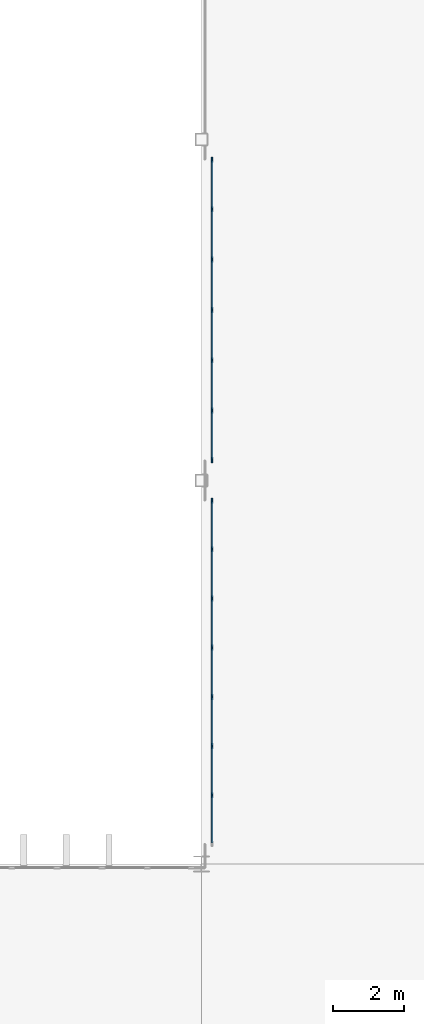
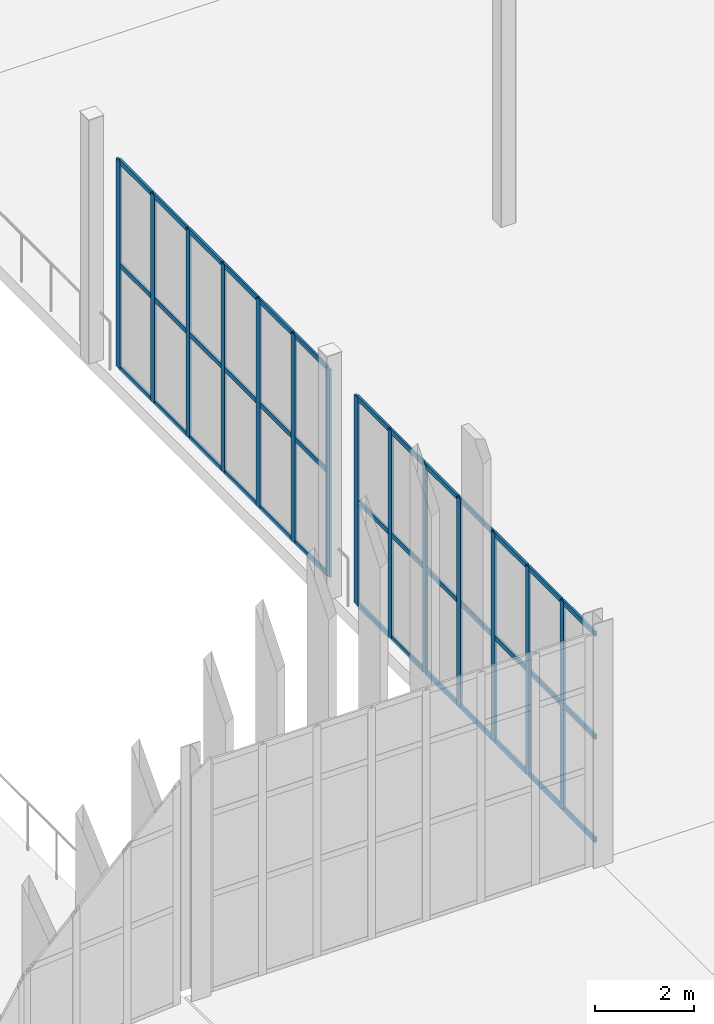
# One storey, part 48 of 139: 53 members, 2 elements without a shape of their own.
"""IFC4 building model written with IfcOpenShell, lengths in metres."""

from ifc_helpers import new_model, si_unit, direction, frame, origin, origin_2d, place, context, subcontext, project, spatial, rectangle, extrude, material, layer, layer_set, material_profile, profile_set, type_object, element, aggregate, save


model = new_model("IFC4")

# Units and contexts
model_context = context("Model", 3, precision=1e-05, world=origin(), true_north=direction((0.0, 1.0)))
body_context = subcontext(model_context, "Body", "Model", "MODEL_VIEW")
ifc_project = project(units=[si_unit("LENGTHUNIT", "METRE"), si_unit("AREAUNIT", "SQUARE_METRE"), si_unit("VOLUMEUNIT", "CUBIC_METRE"), si_unit("PLANEANGLEUNIT", "RADIAN"), si_unit("MASSUNIT", "GRAM", prefix="KILO")], contexts=[model_context])

# Site, building, storey
site_placement = place(None, origin())
site = spatial("IfcSite", under=ifc_project, at=site_placement, CompositionType="ELEMENT")
building_placement = place(site_placement, origin())
building = spatial("IfcBuilding", under=site, at=building_placement, Name="Yeouljin Market Hall", CompositionType="ELEMENT")
storey_placement = place(building_placement, origin())
storey = spatial("IfcBuildingStorey", under=building, at=storey_placement, Name="L00", CompositionType="ELEMENT", Elevation=0.0)

# Curtain wall, members
ifc_material_1 = material(Name="Thermally Broken Aluminium", Category="aluminium")
ifc_layer = layer(ifc_material_1, 0.14990234375)
ifc_layer_set = layer_set([ifc_layer], Name="Thermally Broken Aluminium")
curtain_wall_type = type_object("IfcCurtainWallType", Name="CW_WingStorefront_System", PredefinedType="USERDEFINED", material=ifc_layer_set)
curtain_wall_1_placement = place(storey_placement, origin())
curtain_wall_1 = element("IfcCurtainWall", 1, at=curtain_wall_1_placement, inside=storey, type_object=curtain_wall_type, Name="Curtain wall CW-CRT-L00-15", ObjectType="CURTAIN WALL", PredefinedType="USERDEFINED")
ifc_material_2 = material(Name="Thermally Broken Aluminium", Category="aluminium")
ifc_material_profile_1 = material_profile(ifc_material_2, rectangle(XDim=0.048095703125, YDim=0.14990234375, at=origin_2d()), Name="CW-MULL-48x150")
ifc_profile_set_1 = profile_set([ifc_material_profile_1], Name="Thermally Broken Aluminium")
member_type_1 = type_object("IfcMemberType", Name="CWMullion_48x150", PredefinedType="MULLION", material=ifc_profile_set_1)
member_1_placement = place(storey_placement, frame((45.300048828125, 79.935791015625, 0.0), z_axis=(0.0, 0.0, 1.0), x_axis=(-1.0, 0.0, 0.0)))
member_1 = element("IfcMember", 2, at=member_1_placement, type_object=member_type_1, Name="CW-04 mullion 2", PredefinedType="MULLION", context=body_context, shape_type="SweptSolid", body=[
    extrude(rectangle(XDim=0.048095703125, YDim=0.14990234375, at=origin_2d()), origin(), (0.0, 0.0, 1.0), 5.1201171875),
])
member_2_placement = place(storey_placement, frame((45.300048828125, 81.321533203125, 0.0), z_axis=(0.0, 0.0, 1.0), x_axis=(-1.0, 0.0, 0.0)))
member_2 = element("IfcMember", 3, at=member_2_placement, type_object=member_type_1, Name="CW-04 mullion 3", PredefinedType="MULLION", context=body_context, shape_type="SweptSolid", body=[
    extrude(rectangle(XDim=0.048095703125, YDim=0.14990234375, at=origin_2d()), origin(), (0.0, 0.0, 1.0), 5.1201171875),
])
member_3_placement = place(storey_placement, frame((45.300048828125, 82.70703125, 0.0), z_axis=(0.0, 0.0, 1.0), x_axis=(-1.0, 0.0, 0.0)))
member_3 = element("IfcMember", 4, at=member_3_placement, type_object=member_type_1, Name="CW-04 mullion 4", PredefinedType="MULLION", context=body_context, shape_type="SweptSolid", body=[
    extrude(rectangle(XDim=0.048095703125, YDim=0.14990234375, at=origin_2d()), origin(), (0.0, 0.0, 1.0), 5.1201171875),
])
member_4_placement = place(storey_placement, frame((45.300048828125, 84.0927734375, 0.0), z_axis=(0.0, 0.0, 1.0), x_axis=(-1.0, 0.0, 0.0)))
member_4 = element("IfcMember", 5, at=member_4_placement, type_object=member_type_1, Name="CW-04 mullion 5", PredefinedType="MULLION", context=body_context, shape_type="SweptSolid", body=[
    extrude(rectangle(XDim=0.048095703125, YDim=0.14990234375, at=origin_2d()), origin(), (0.0, 0.0, 1.0), 5.1201171875),
])
member_5_placement = place(storey_placement, frame((45.300048828125, 85.478515625, 0.0), z_axis=(0.0, 0.0, 1.0), x_axis=(-1.0, 0.0, 0.0)))
member_5 = element("IfcMember", 6, at=member_5_placement, type_object=member_type_1, Name="CW-04 mullion 6", PredefinedType="MULLION", context=body_context, shape_type="SweptSolid", body=[
    extrude(rectangle(XDim=0.048095703125, YDim=0.14990234375, at=origin_2d()), origin(), (0.0, 0.0, 1.0), 5.1201171875),
])
member_6_placement = place(storey_placement, frame((45.300048828125, 86.8642578125, 0.0), z_axis=(0.0, 0.0, 1.0), x_axis=(-1.0, 0.0, 0.0)))
member_6 = element("IfcMember", 7, at=member_6_placement, type_object=member_type_1, Name="CW-04 mullion 7", PredefinedType="MULLION", context=body_context, shape_type="SweptSolid", body=[
    extrude(rectangle(XDim=0.048095703125, YDim=0.14990234375, at=origin_2d()), origin(), (0.0, 0.0, 1.0), 5.1201171875),
])
member_7_placement = place(storey_placement, frame((45.300048828125, 88.22607421875, 0.0), z_axis=(0.0, 0.0, 1.0), x_axis=(-1.0, 0.0, 0.0)))
member_7 = element("IfcMember", 8, at=member_7_placement, type_object=member_type_1, Name="CW-04 mullion 8", PredefinedType="MULLION", context=body_context, shape_type="SweptSolid", body=[
    extrude(rectangle(XDim=0.048095703125, YDim=0.14990234375, at=origin_2d()), origin(), (0.0, 0.0, 1.0), 5.1201171875),
])

curtain_wall_2_placement = place(storey_placement, origin())
curtain_wall_2 = element("IfcCurtainWall", 9, at=curtain_wall_2_placement, inside=storey, type_object=curtain_wall_type, Name="Curtain wall CW-CRT-L00-16", ObjectType="CURTAIN WALL", PredefinedType="USERDEFINED")
member_8_placement = place(storey_placement, frame((45.300048828125, 89.3740234375, 0.0), z_axis=(0.0, 0.0, 1.0), x_axis=(-1.0, 0.0, 0.0)))
member_8 = element("IfcMember", 10, at=member_8_placement, type_object=member_type_1, Name="CW-04 mullion 1", PredefinedType="MULLION", context=body_context, shape_type="SweptSolid", body=[
    extrude(rectangle(XDim=0.048095703125, YDim=0.14990234375, at=origin_2d()), origin(), (0.0, 0.0, 1.0), 5.1201171875),
])
member_9_placement = place(storey_placement, frame((45.300048828125, 90.7666015625, 0.0), z_axis=(0.0, 0.0, 1.0), x_axis=(-1.0, 0.0, 0.0)))
member_9 = element("IfcMember", 11, at=member_9_placement, type_object=member_type_1, Name="CW-04 mullion 2", PredefinedType="MULLION", context=body_context, shape_type="SweptSolid", body=[
    extrude(rectangle(XDim=0.048095703125, YDim=0.14990234375, at=origin_2d()), origin(), (0.0, 0.0, 1.0), 5.1201171875),
])
member_10_placement = place(storey_placement, frame((45.300048828125, 92.183349609375, 0.0), z_axis=(0.0, 0.0, 1.0), x_axis=(-1.0, 0.0, 0.0)))
member_10 = element("IfcMember", 12, at=member_10_placement, type_object=member_type_1, Name="CW-04 mullion 3", PredefinedType="MULLION", context=body_context, shape_type="SweptSolid", body=[
    extrude(rectangle(XDim=0.048095703125, YDim=0.14990234375, at=origin_2d()), origin(), (0.0, 0.0, 1.0), 5.1201171875),
])
member_11_placement = place(storey_placement, frame((45.300048828125, 93.60009765625, 0.0), z_axis=(0.0, 0.0, 1.0), x_axis=(-1.0, 0.0, 0.0)))
member_11 = element("IfcMember", 13, at=member_11_placement, type_object=member_type_1, Name="CW-04 mullion 4", PredefinedType="MULLION", context=body_context, shape_type="SweptSolid", body=[
    extrude(rectangle(XDim=0.048095703125, YDim=0.14990234375, at=origin_2d()), origin(), (0.0, 0.0, 1.0), 5.1201171875),
])
member_12_placement = place(storey_placement, frame((45.300048828125, 95.0166015625, 0.0), z_axis=(0.0, 0.0, 1.0), x_axis=(-1.0, 0.0, 0.0)))
member_12 = element("IfcMember", 14, at=member_12_placement, type_object=member_type_1, Name="CW-04 mullion 5", PredefinedType="MULLION", context=body_context, shape_type="SweptSolid", body=[
    extrude(rectangle(XDim=0.048095703125, YDim=0.14990234375, at=origin_2d()), origin(), (0.0, 0.0, 1.0), 5.1201171875),
])
member_13_placement = place(storey_placement, frame((45.300048828125, 96.433349609375, 0.0), z_axis=(0.0, 0.0, 1.0), x_axis=(-1.0, 0.0, 0.0)))
member_13 = element("IfcMember", 15, at=member_13_placement, type_object=member_type_1, Name="CW-04 mullion 6", PredefinedType="MULLION", context=body_context, shape_type="SweptSolid", body=[
    extrude(rectangle(XDim=0.048095703125, YDim=0.14990234375, at=origin_2d()), origin(), (0.0, 0.0, 1.0), 5.1201171875),
])
member_14_placement = place(storey_placement, frame((45.300048828125, 97.825927734375, 0.0), z_axis=(0.0, 0.0, 1.0), x_axis=(-1.0, 0.0, 0.0)))
member_14 = element("IfcMember", 16, at=member_14_placement, type_object=member_type_1, Name="CW-04 mullion 7", PredefinedType="MULLION", context=body_context, shape_type="SweptSolid", body=[
    extrude(rectangle(XDim=0.048095703125, YDim=0.14990234375, at=origin_2d()), origin(), (0.0, 0.0, 1.0), 5.1201171875),
])

# Member
ifc_material_3 = material(Name="Thermally Broken Aluminium", Category="aluminium")
ifc_material_profile_2 = material_profile(ifc_material_3, rectangle(XDim=0.048095703125, YDim=0.1201171875, at=origin_2d()), Name="CW-TRAN-48x120")
ifc_profile_set_2 = profile_set([ifc_material_profile_2], Name="Thermally Broken Aluminium")
member_type_2 = type_object("IfcMemberType", Name="CWTransom_48x120", PredefinedType="USERDEFINED", material=ifc_profile_set_2)
member_15_placement = place(storey_placement, frame((45.300048828125, 78.597900390625, 0.02392578125), z_axis=(0.0, 1.0, 0.0), x_axis=(-1.0, 0.0, 0.0)))
member_15 = element("IfcMember", 17, at=member_15_placement, type_object=member_type_2, Name="CW-04 transom 1.1", ObjectType="TRANSOM", PredefinedType="USERDEFINED", context=body_context, shape_type="SweptSolid", body=[
    extrude(rectangle(XDim=0.048095703125, YDim=0.1201171875, at=origin_2d()), origin(), (0.0, 0.0, 1.0), 1.313720703125),
])

member_16_placement = place(storey_placement, frame((45.300048828125, 78.597900390625, 2.56005859375), z_axis=(0.0, 1.0, 0.0), x_axis=(-1.0, 0.0, 0.0)))
member_16 = element("IfcMember", 18, at=member_16_placement, type_object=member_type_2, Name="CW-04 transom 1.2", ObjectType="TRANSOM", PredefinedType="USERDEFINED", context=body_context, shape_type="SweptSolid", body=[
    extrude(rectangle(XDim=0.048095703125, YDim=0.1201171875, at=origin_2d()), origin(), (0.0, 0.0, 1.0), 1.313720703125),
])

member_17_placement = place(storey_placement, frame((45.300048828125, 78.597900390625, 5.095947265625), z_axis=(0.0, 1.0, 0.0), x_axis=(-1.0, 0.0, 0.0)))
member_17 = element("IfcMember", 19, at=member_17_placement, type_object=member_type_2, Name="CW-04 transom 1.3", ObjectType="TRANSOM", PredefinedType="USERDEFINED", context=body_context, shape_type="SweptSolid", body=[
    extrude(rectangle(XDim=0.048095703125, YDim=0.1201171875, at=origin_2d()), origin(), (0.0, 0.0, 1.0), 1.313720703125),
])

member_18_placement = place(storey_placement, frame((45.300048828125, 79.959716796875, 0.02392578125), z_axis=(0.0, 1.0, 0.0), x_axis=(-1.0, 0.0, 0.0)))
member_18 = element("IfcMember", 20, at=member_18_placement, type_object=member_type_2, Name="CW-04 transom 2.1", ObjectType="TRANSOM", PredefinedType="USERDEFINED", context=body_context, shape_type="SweptSolid", body=[
    extrude(rectangle(XDim=0.048095703125, YDim=0.1201171875, at=origin_2d()), origin(), (0.0, 0.0, 1.0), 1.337646484375),
])

member_19_placement = place(storey_placement, frame((45.300048828125, 79.959716796875, 2.56005859375), z_axis=(0.0, 1.0, 0.0), x_axis=(-1.0, 0.0, 0.0)))
member_19 = element("IfcMember", 21, at=member_19_placement, type_object=member_type_2, Name="CW-04 transom 2.2", ObjectType="TRANSOM", PredefinedType="USERDEFINED", context=body_context, shape_type="SweptSolid", body=[
    extrude(rectangle(XDim=0.048095703125, YDim=0.1201171875, at=origin_2d()), origin(), (0.0, 0.0, 1.0), 1.337646484375),
])

member_20_placement = place(storey_placement, frame((45.300048828125, 79.959716796875, 5.095947265625), z_axis=(0.0, 1.0, 0.0), x_axis=(-1.0, 0.0, 0.0)))
member_20 = element("IfcMember", 22, at=member_20_placement, type_object=member_type_2, Name="CW-04 transom 2.3", ObjectType="TRANSOM", PredefinedType="USERDEFINED", context=body_context, shape_type="SweptSolid", body=[
    extrude(rectangle(XDim=0.048095703125, YDim=0.1201171875, at=origin_2d()), origin(), (0.0, 0.0, 1.0), 1.337646484375),
])

member_21_placement = place(storey_placement, frame((45.300048828125, 81.345458984375, 0.02392578125), z_axis=(0.0, 1.0, 0.0), x_axis=(-1.0, 0.0, 0.0)))
member_21 = element("IfcMember", 23, at=member_21_placement, type_object=member_type_2, Name="CW-04 transom 3.1", ObjectType="TRANSOM", PredefinedType="USERDEFINED", context=body_context, shape_type="SweptSolid", body=[
    extrude(rectangle(XDim=0.048095703125, YDim=0.1201171875, at=origin_2d()), origin(), (0.0, 0.0, 1.0), 1.337646484375),
])

member_22_placement = place(storey_placement, frame((45.300048828125, 81.345458984375, 2.56005859375), z_axis=(0.0, 1.0, 0.0), x_axis=(-1.0, 0.0, 0.0)))
member_22 = element("IfcMember", 24, at=member_22_placement, type_object=member_type_2, Name="CW-04 transom 3.2", ObjectType="TRANSOM", PredefinedType="USERDEFINED", context=body_context, shape_type="SweptSolid", body=[
    extrude(rectangle(XDim=0.048095703125, YDim=0.1201171875, at=origin_2d()), origin(), (0.0, 0.0, 1.0), 1.337646484375),
])

member_23_placement = place(storey_placement, frame((45.300048828125, 81.345458984375, 5.095947265625), z_axis=(0.0, 1.0, 0.0), x_axis=(-1.0, 0.0, 0.0)))
member_23 = element("IfcMember", 25, at=member_23_placement, type_object=member_type_2, Name="CW-04 transom 3.3", ObjectType="TRANSOM", PredefinedType="USERDEFINED", context=body_context, shape_type="SweptSolid", body=[
    extrude(rectangle(XDim=0.048095703125, YDim=0.1201171875, at=origin_2d()), origin(), (0.0, 0.0, 1.0), 1.337646484375),
])

member_24_placement = place(storey_placement, frame((45.300048828125, 82.731201171875, 0.02392578125), z_axis=(0.0, 1.0, 0.0), x_axis=(-1.0, 0.0, 0.0)))
member_24 = element("IfcMember", 26, at=member_24_placement, type_object=member_type_2, Name="CW-04 transom 4.1", ObjectType="TRANSOM", PredefinedType="USERDEFINED", context=body_context, shape_type="SweptSolid", body=[
    extrude(rectangle(XDim=0.048095703125, YDim=0.1201171875, at=origin_2d()), origin(), (0.0, 0.0, 1.0), 1.337646484375),
])

member_25_placement = place(storey_placement, frame((45.300048828125, 82.731201171875, 2.56005859375), z_axis=(0.0, 1.0, 0.0), x_axis=(-1.0, 0.0, 0.0)))
member_25 = element("IfcMember", 27, at=member_25_placement, type_object=member_type_2, Name="CW-04 transom 4.2", ObjectType="TRANSOM", PredefinedType="USERDEFINED", context=body_context, shape_type="SweptSolid", body=[
    extrude(rectangle(XDim=0.048095703125, YDim=0.1201171875, at=origin_2d()), origin(), (0.0, 0.0, 1.0), 1.337646484375),
])

member_26_placement = place(storey_placement, frame((45.300048828125, 82.731201171875, 5.095947265625), z_axis=(0.0, 1.0, 0.0), x_axis=(-1.0, 0.0, 0.0)))
member_26 = element("IfcMember", 28, at=member_26_placement, type_object=member_type_2, Name="CW-04 transom 4.3", ObjectType="TRANSOM", PredefinedType="USERDEFINED", context=body_context, shape_type="SweptSolid", body=[
    extrude(rectangle(XDim=0.048095703125, YDim=0.1201171875, at=origin_2d()), origin(), (0.0, 0.0, 1.0), 1.337646484375),
])

member_27_placement = place(storey_placement, frame((45.300048828125, 84.116943359375, 0.02392578125), z_axis=(0.0, 1.0, 0.0), x_axis=(-1.0, 0.0, 0.0)))
member_27 = element("IfcMember", 29, at=member_27_placement, type_object=member_type_2, Name="CW-04 transom 5.1", ObjectType="TRANSOM", PredefinedType="USERDEFINED", context=body_context, shape_type="SweptSolid", body=[
    extrude(rectangle(XDim=0.048095703125, YDim=0.1201171875, at=origin_2d()), origin(), (0.0, 0.0, 1.0), 1.337646484375),
])

member_28_placement = place(storey_placement, frame((45.300048828125, 84.116943359375, 2.56005859375), z_axis=(0.0, 1.0, 0.0), x_axis=(-1.0, 0.0, 0.0)))
member_28 = element("IfcMember", 30, at=member_28_placement, type_object=member_type_2, Name="CW-04 transom 5.2", ObjectType="TRANSOM", PredefinedType="USERDEFINED", context=body_context, shape_type="SweptSolid", body=[
    extrude(rectangle(XDim=0.048095703125, YDim=0.1201171875, at=origin_2d()), origin(), (0.0, 0.0, 1.0), 1.337646484375),
])

member_29_placement = place(storey_placement, frame((45.300048828125, 84.116943359375, 5.095947265625), z_axis=(0.0, 1.0, 0.0), x_axis=(-1.0, 0.0, 0.0)))
member_29 = element("IfcMember", 31, at=member_29_placement, type_object=member_type_2, Name="CW-04 transom 5.3", ObjectType="TRANSOM", PredefinedType="USERDEFINED", context=body_context, shape_type="SweptSolid", body=[
    extrude(rectangle(XDim=0.048095703125, YDim=0.1201171875, at=origin_2d()), origin(), (0.0, 0.0, 1.0), 1.337646484375),
])

member_30_placement = place(storey_placement, frame((45.300048828125, 85.502685546875, 0.02392578125), z_axis=(0.0, 1.0, 0.0), x_axis=(-1.0, 0.0, 0.0)))
member_30 = element("IfcMember", 32, at=member_30_placement, type_object=member_type_2, Name="CW-04 transom 6.1", ObjectType="TRANSOM", PredefinedType="USERDEFINED", context=body_context, shape_type="SweptSolid", body=[
    extrude(rectangle(XDim=0.048095703125, YDim=0.1201171875, at=origin_2d()), origin(), (0.0, 0.0, 1.0), 1.337646484375),
])

member_31_placement = place(storey_placement, frame((45.300048828125, 85.502685546875, 2.56005859375), z_axis=(0.0, 1.0, 0.0), x_axis=(-1.0, 0.0, 0.0)))
member_31 = element("IfcMember", 33, at=member_31_placement, type_object=member_type_2, Name="CW-04 transom 6.2", ObjectType="TRANSOM", PredefinedType="USERDEFINED", context=body_context, shape_type="SweptSolid", body=[
    extrude(rectangle(XDim=0.048095703125, YDim=0.1201171875, at=origin_2d()), origin(), (0.0, 0.0, 1.0), 1.337646484375),
])

member_32_placement = place(storey_placement, frame((45.300048828125, 85.502685546875, 5.095947265625), z_axis=(0.0, 1.0, 0.0), x_axis=(-1.0, 0.0, 0.0)))
member_32 = element("IfcMember", 34, at=member_32_placement, type_object=member_type_2, Name="CW-04 transom 6.3", ObjectType="TRANSOM", PredefinedType="USERDEFINED", context=body_context, shape_type="SweptSolid", body=[
    extrude(rectangle(XDim=0.048095703125, YDim=0.1201171875, at=origin_2d()), origin(), (0.0, 0.0, 1.0), 1.337646484375),
])

member_33_placement = place(storey_placement, frame((45.300048828125, 86.88818359375, 0.02392578125), z_axis=(0.0, 1.0, 0.0), x_axis=(-1.0, 0.0, 0.0)))
member_33 = element("IfcMember", 35, at=member_33_placement, type_object=member_type_2, Name="CW-04 transom 7.1", ObjectType="TRANSOM", PredefinedType="USERDEFINED", context=body_context, shape_type="SweptSolid", body=[
    extrude(rectangle(XDim=0.048095703125, YDim=0.1201171875, at=origin_2d()), origin(), (0.0, 0.0, 1.0), 1.313720703125),
])

member_34_placement = place(storey_placement, frame((45.300048828125, 86.88818359375, 2.56005859375), z_axis=(0.0, 1.0, 0.0), x_axis=(-1.0, 0.0, 0.0)))
member_34 = element("IfcMember", 36, at=member_34_placement, type_object=member_type_2, Name="CW-04 transom 7.2", ObjectType="TRANSOM", PredefinedType="USERDEFINED", context=body_context, shape_type="SweptSolid", body=[
    extrude(rectangle(XDim=0.048095703125, YDim=0.1201171875, at=origin_2d()), origin(), (0.0, 0.0, 1.0), 1.313720703125),
])

member_35_placement = place(storey_placement, frame((45.300048828125, 86.88818359375, 5.095947265625), z_axis=(0.0, 1.0, 0.0), x_axis=(-1.0, 0.0, 0.0)))
member_35 = element("IfcMember", 37, at=member_35_placement, type_object=member_type_2, Name="CW-04 transom 7.3", ObjectType="TRANSOM", PredefinedType="USERDEFINED", context=body_context, shape_type="SweptSolid", body=[
    extrude(rectangle(XDim=0.048095703125, YDim=0.1201171875, at=origin_2d()), origin(), (0.0, 0.0, 1.0), 1.313720703125),
])

aggregate(curtain_wall_1, [member_1, member_2, member_3, member_4, member_5, member_6, member_7, member_15, member_16, member_17, member_18, member_19, member_20, member_21, member_22, member_23, member_24, member_25, member_26, member_27, member_28, member_29, member_30, member_31, member_32, member_33, member_34, member_35])

member_36_placement = place(storey_placement, frame((45.300048828125, 89.39794921875, 0.02392578125), z_axis=(0.0, 1.0, 0.0), x_axis=(-1.0, 0.0, 0.0)))
member_36 = element("IfcMember", 38, at=member_36_placement, type_object=member_type_2, Name="CW-04 transom 1.1", ObjectType="TRANSOM", PredefinedType="USERDEFINED", context=body_context, shape_type="SweptSolid", body=[
    extrude(rectangle(XDim=0.048095703125, YDim=0.1201171875, at=origin_2d()), origin(), (0.0, 0.0, 1.0), 1.3447265625),
])

member_37_placement = place(storey_placement, frame((45.300048828125, 89.39794921875, 2.56005859375), z_axis=(0.0, 1.0, 0.0), x_axis=(-1.0, 0.0, 0.0)))
member_37 = element("IfcMember", 39, at=member_37_placement, type_object=member_type_2, Name="CW-04 transom 1.2", ObjectType="TRANSOM", PredefinedType="USERDEFINED", context=body_context, shape_type="SweptSolid", body=[
    extrude(rectangle(XDim=0.048095703125, YDim=0.1201171875, at=origin_2d()), origin(), (0.0, 0.0, 1.0), 1.3447265625),
])

member_38_placement = place(storey_placement, frame((45.300048828125, 89.39794921875, 5.095947265625), z_axis=(0.0, 1.0, 0.0), x_axis=(-1.0, 0.0, 0.0)))
member_38 = element("IfcMember", 40, at=member_38_placement, type_object=member_type_2, Name="CW-04 transom 1.3", ObjectType="TRANSOM", PredefinedType="USERDEFINED", context=body_context, shape_type="SweptSolid", body=[
    extrude(rectangle(XDim=0.048095703125, YDim=0.1201171875, at=origin_2d()), origin(), (0.0, 0.0, 1.0), 1.3447265625),
])

member_39_placement = place(storey_placement, frame((45.300048828125, 90.790771484375, 0.02392578125), z_axis=(0.0, 1.0, 0.0), x_axis=(-1.0, 0.0, 0.0)))
member_39 = element("IfcMember", 41, at=member_39_placement, type_object=member_type_2, Name="CW-04 transom 2.1", ObjectType="TRANSOM", PredefinedType="USERDEFINED", context=body_context, shape_type="SweptSolid", body=[
    extrude(rectangle(XDim=0.048095703125, YDim=0.1201171875, at=origin_2d()), origin(), (0.0, 0.0, 1.0), 1.36865234375),
])

member_40_placement = place(storey_placement, frame((45.300048828125, 90.790771484375, 2.56005859375), z_axis=(0.0, 1.0, 0.0), x_axis=(-1.0, 0.0, 0.0)))
member_40 = element("IfcMember", 42, at=member_40_placement, type_object=member_type_2, Name="CW-04 transom 2.2", ObjectType="TRANSOM", PredefinedType="USERDEFINED", context=body_context, shape_type="SweptSolid", body=[
    extrude(rectangle(XDim=0.048095703125, YDim=0.1201171875, at=origin_2d()), origin(), (0.0, 0.0, 1.0), 1.36865234375),
])

member_41_placement = place(storey_placement, frame((45.300048828125, 90.790771484375, 5.095947265625), z_axis=(0.0, 1.0, 0.0), x_axis=(-1.0, 0.0, 0.0)))
member_41 = element("IfcMember", 43, at=member_41_placement, type_object=member_type_2, Name="CW-04 transom 2.3", ObjectType="TRANSOM", PredefinedType="USERDEFINED", context=body_context, shape_type="SweptSolid", body=[
    extrude(rectangle(XDim=0.048095703125, YDim=0.1201171875, at=origin_2d()), origin(), (0.0, 0.0, 1.0), 1.36865234375),
])

member_42_placement = place(storey_placement, frame((45.300048828125, 92.207275390625, 0.02392578125), z_axis=(0.0, 1.0, 0.0), x_axis=(-1.0, 0.0, 0.0)))
member_42 = element("IfcMember", 44, at=member_42_placement, type_object=member_type_2, Name="CW-04 transom 3.1", ObjectType="TRANSOM", PredefinedType="USERDEFINED", context=body_context, shape_type="SweptSolid", body=[
    extrude(rectangle(XDim=0.048095703125, YDim=0.1201171875, at=origin_2d()), origin(), (0.0, 0.0, 1.0), 1.36865234375),
])

member_43_placement = place(storey_placement, frame((45.300048828125, 92.207275390625, 2.56005859375), z_axis=(0.0, 1.0, 0.0), x_axis=(-1.0, 0.0, 0.0)))
member_43 = element("IfcMember", 45, at=member_43_placement, type_object=member_type_2, Name="CW-04 transom 3.2", ObjectType="TRANSOM", PredefinedType="USERDEFINED", context=body_context, shape_type="SweptSolid", body=[
    extrude(rectangle(XDim=0.048095703125, YDim=0.1201171875, at=origin_2d()), origin(), (0.0, 0.0, 1.0), 1.36865234375),
])

member_44_placement = place(storey_placement, frame((45.300048828125, 92.207275390625, 5.095947265625), z_axis=(0.0, 1.0, 0.0), x_axis=(-1.0, 0.0, 0.0)))
member_44 = element("IfcMember", 46, at=member_44_placement, type_object=member_type_2, Name="CW-04 transom 3.3", ObjectType="TRANSOM", PredefinedType="USERDEFINED", context=body_context, shape_type="SweptSolid", body=[
    extrude(rectangle(XDim=0.048095703125, YDim=0.1201171875, at=origin_2d()), origin(), (0.0, 0.0, 1.0), 1.36865234375),
])

member_45_placement = place(storey_placement, frame((45.300048828125, 93.6240234375, 0.02392578125), z_axis=(0.0, 1.0, 0.0), x_axis=(-1.0, 0.0, 0.0)))
member_45 = element("IfcMember", 47, at=member_45_placement, type_object=member_type_2, Name="CW-04 transom 4.1", ObjectType="TRANSOM", PredefinedType="USERDEFINED", context=body_context, shape_type="SweptSolid", body=[
    extrude(rectangle(XDim=0.048095703125, YDim=0.1201171875, at=origin_2d()), origin(), (0.0, 0.0, 1.0), 1.36865234375),
])

member_46_placement = place(storey_placement, frame((45.300048828125, 93.6240234375, 2.56005859375), z_axis=(0.0, 1.0, 0.0), x_axis=(-1.0, 0.0, 0.0)))
member_46 = element("IfcMember", 48, at=member_46_placement, type_object=member_type_2, Name="CW-04 transom 4.2", ObjectType="TRANSOM", PredefinedType="USERDEFINED", context=body_context, shape_type="SweptSolid", body=[
    extrude(rectangle(XDim=0.048095703125, YDim=0.1201171875, at=origin_2d()), origin(), (0.0, 0.0, 1.0), 1.36865234375),
])

member_47_placement = place(storey_placement, frame((45.300048828125, 93.6240234375, 5.095947265625), z_axis=(0.0, 1.0, 0.0), x_axis=(-1.0, 0.0, 0.0)))
member_47 = element("IfcMember", 49, at=member_47_placement, type_object=member_type_2, Name="CW-04 transom 4.3", ObjectType="TRANSOM", PredefinedType="USERDEFINED", context=body_context, shape_type="SweptSolid", body=[
    extrude(rectangle(XDim=0.048095703125, YDim=0.1201171875, at=origin_2d()), origin(), (0.0, 0.0, 1.0), 1.36865234375),
])

member_48_placement = place(storey_placement, frame((45.300048828125, 95.040771484375, 0.02392578125), z_axis=(0.0, 1.0, 0.0), x_axis=(-1.0, 0.0, 0.0)))
member_48 = element("IfcMember", 50, at=member_48_placement, type_object=member_type_2, Name="CW-04 transom 5.1", ObjectType="TRANSOM", PredefinedType="USERDEFINED", context=body_context, shape_type="SweptSolid", body=[
    extrude(rectangle(XDim=0.048095703125, YDim=0.1201171875, at=origin_2d()), origin(), (0.0, 0.0, 1.0), 1.36865234375),
])

member_49_placement = place(storey_placement, frame((45.300048828125, 95.040771484375, 2.56005859375), z_axis=(0.0, 1.0, 0.0), x_axis=(-1.0, 0.0, 0.0)))
member_49 = element("IfcMember", 51, at=member_49_placement, type_object=member_type_2, Name="CW-04 transom 5.2", ObjectType="TRANSOM", PredefinedType="USERDEFINED", context=body_context, shape_type="SweptSolid", body=[
    extrude(rectangle(XDim=0.048095703125, YDim=0.1201171875, at=origin_2d()), origin(), (0.0, 0.0, 1.0), 1.36865234375),
])

member_50_placement = place(storey_placement, frame((45.300048828125, 95.040771484375, 5.095947265625), z_axis=(0.0, 1.0, 0.0), x_axis=(-1.0, 0.0, 0.0)))
member_50 = element("IfcMember", 52, at=member_50_placement, type_object=member_type_2, Name="CW-04 transom 5.3", ObjectType="TRANSOM", PredefinedType="USERDEFINED", context=body_context, shape_type="SweptSolid", body=[
    extrude(rectangle(XDim=0.048095703125, YDim=0.1201171875, at=origin_2d()), origin(), (0.0, 0.0, 1.0), 1.36865234375),
])

member_51_placement = place(storey_placement, frame((45.300048828125, 96.457275390625, 0.02392578125), z_axis=(0.0, 1.0, 0.0), x_axis=(-1.0, 0.0, 0.0)))
member_51 = element("IfcMember", 53, at=member_51_placement, type_object=member_type_2, Name="CW-04 transom 6.1", ObjectType="TRANSOM", PredefinedType="USERDEFINED", context=body_context, shape_type="SweptSolid", body=[
    extrude(rectangle(XDim=0.048095703125, YDim=0.1201171875, at=origin_2d()), origin(), (0.0, 0.0, 1.0), 1.3447265625),
])

member_52_placement = place(storey_placement, frame((45.300048828125, 96.457275390625, 2.56005859375), z_axis=(0.0, 1.0, 0.0), x_axis=(-1.0, 0.0, 0.0)))
member_52 = element("IfcMember", 54, at=member_52_placement, type_object=member_type_2, Name="CW-04 transom 6.2", ObjectType="TRANSOM", PredefinedType="USERDEFINED", context=body_context, shape_type="SweptSolid", body=[
    extrude(rectangle(XDim=0.048095703125, YDim=0.1201171875, at=origin_2d()), origin(), (0.0, 0.0, 1.0), 1.3447265625),
])

member_53_placement = place(storey_placement, frame((45.300048828125, 96.457275390625, 5.095947265625), z_axis=(0.0, 1.0, 0.0), x_axis=(-1.0, 0.0, 0.0)))
member_53 = element("IfcMember", 55, at=member_53_placement, type_object=member_type_2, Name="CW-04 transom 6.3", ObjectType="TRANSOM", PredefinedType="USERDEFINED", context=body_context, shape_type="SweptSolid", body=[
    extrude(rectangle(XDim=0.048095703125, YDim=0.1201171875, at=origin_2d()), origin(), (0.0, 0.0, 1.0), 1.3447265625),
])

aggregate(curtain_wall_2, [member_8, member_9, member_10, member_11, member_12, member_13, member_14, member_36, member_37, member_38, member_39, member_40, member_41, member_42, member_43, member_44, member_45, member_46, member_47, member_48, member_49, member_50, member_51, member_52, member_53])

save(model, "model.ifc")
